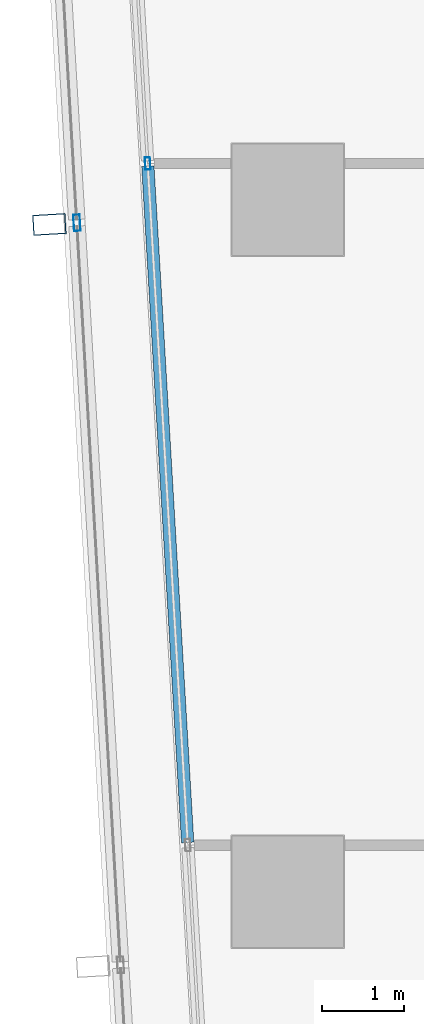
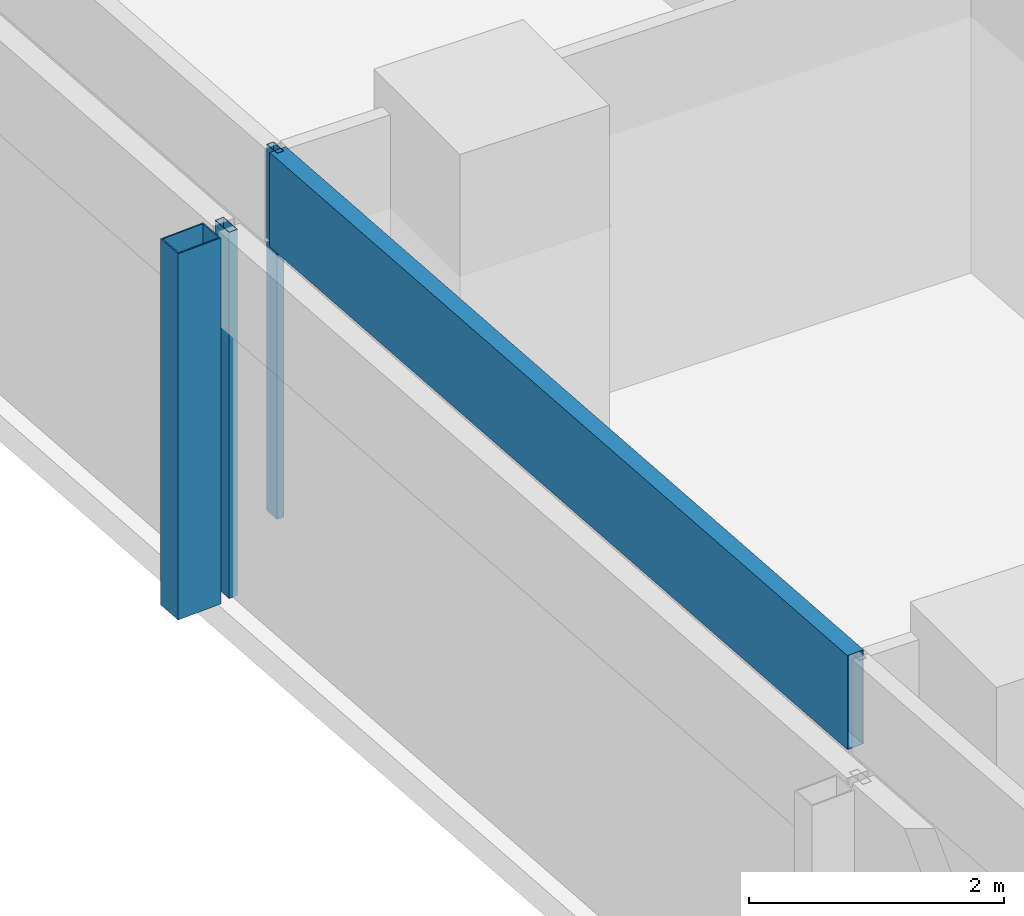
# One storey, part 8 of 39: 4 members, 2 elements without a shape of their own.
"""IFC4 building model written with IfcOpenShell, lengths in metres."""

from ifc_helpers import new_model, si_unit, direction, frame, origin, origin_2d, place, context, subcontext, project, spatial, hollow_rectangle, extrude, material, material_profile, profile_set, type_object, element, aggregate, save


model = new_model("IFC4")

# Units and contexts
model_context = context("Model", 3, precision=1e-05, world=origin(), true_north=direction((0.0, 1.0)))
body_context = subcontext(model_context, "Body", "Model", "MODEL_VIEW")
ifc_project = project(units=[si_unit("LENGTHUNIT", "METRE"), si_unit("AREAUNIT", "SQUARE_METRE"), si_unit("VOLUMEUNIT", "CUBIC_METRE"), si_unit("PLANEANGLEUNIT", "RADIAN"), si_unit("MASSUNIT", "GRAM", prefix="KILO")], contexts=[model_context])

# Site, building, storey
site_placement = place(None, origin())
site = spatial("IfcSite", under=ifc_project, at=site_placement, CompositionType="ELEMENT")
building_placement = place(site_placement, origin())
building = spatial("IfcBuilding", under=site, at=building_placement, Name="Rekha Terrace Tower", CompositionType="ELEMENT")
storey_placement = place(building_placement, frame((0.0, 0.0, 225.199951171875)))
storey = spatial("IfcBuildingStorey", under=building, at=storey_placement, Name="L57", CompositionType="ELEMENT", Elevation=225.199951171875)

# Curtain wall, member
ifc_material_1 = material(Name="Aluminium framing", Category="aluminium")
curtain_wall_type_1 = type_object("IfcCurtainWallType", Name="CW2 double skin outer glazing", PredefinedType="USERDEFINED", material=ifc_material_1)
curtain_wall_1_placement = place(storey_placement, origin())
curtain_wall_1 = element("IfcCurtainWall", 1, at=curtain_wall_1_placement, inside=storey, type_object=curtain_wall_type_1, Name="CW2 double skin outer glazing", ObjectType="DOUBLE SKIN OUTER GLAZING", PredefinedType="USERDEFINED")
ifc_material_2 = material(Name="Steel S355 with fluorocarbon finish", Category="steel")
ifc_material_profile_1 = material_profile(ifc_material_2, hollow_rectangle(XDim=0.25, YDim=0.39990234375, WallThickness=0.012451171875, at=origin_2d()), Name="RHS400x250x12.5")
ifc_profile_set_1 = profile_set([ifc_material_profile_1], Name="Steel S355 with fluorocarbon finish")
member_type_1 = type_object("IfcMemberType", Name="BL1 facade blade RHS 400 x 250", PredefinedType="USERDEFINED", material=ifc_profile_set_1)
member_1_placement = place(storey_placement, frame((5.50634765625, 33.300048828125, 0.0), z_axis=(0.0, 0.0, 1.0), x_axis=(0.058764522885, -0.998271872212, 0.0)))
member_1 = element("IfcMember", 2, at=member_1_placement, type_object=member_type_1, Name="Facade blade", ObjectType="FACADE BLADE", PredefinedType="USERDEFINED", context=body_context, shape_type="SweptSolid", body=[
    extrude(hollow_rectangle(XDim=0.25, YDim=0.39990234375, WallThickness=0.012451171875, at=origin_2d()), origin(), (0.0, 0.0, 1.0), 3.5),
])

# Curtain wall, members
curtain_wall_type_2 = type_object("IfcCurtainWallType", Name="CW1 double skin inner glazing", PredefinedType="USERDEFINED", material=ifc_material_1)
curtain_wall_2_placement = place(storey_placement, origin())
curtain_wall_2 = element("IfcCurtainWall", 3, at=curtain_wall_2_placement, inside=storey, type_object=curtain_wall_type_2, Name="CW1 double skin inner glazing", ObjectType="DOUBLE SKIN INNER GLAZING", PredefinedType="USERDEFINED")
ifc_material_3 = material(Name="Aluminium mullion section", Category="aluminium")
ifc_material_profile_2 = material_profile(ifc_material_3, hollow_rectangle(XDim=0.06494140625, YDim=0.14990234375, WallThickness=0.00390625, at=origin_2d()), Name="AL RHS 65x150")
ifc_profile_set_2 = profile_set([ifc_material_profile_2], Name="Aluminium mullion section")
member_type_2 = type_object("IfcMemberType", Name="CW1 mullion RHS 65 x 150", PredefinedType="MULLION", material=ifc_profile_set_2)
member_2_placement = place(storey_placement, frame((6.69970703125, 34.040283203125, 0.0), z_axis=(0.0, 0.0, 1.0), x_axis=(0.998271839269, 0.058765082516, 0.0)))
member_2 = element("IfcMember", 4, at=member_2_placement, type_object=member_type_2, Name="CW1 mullion 2", PredefinedType="MULLION", context=body_context, shape_type="SweptSolid", body=[
    extrude(hollow_rectangle(XDim=0.06494140625, YDim=0.14990234375, WallThickness=0.00390625, at=origin_2d()), origin(), (0.0, 0.0, 1.0), 3.5),
])
ifc_material_4 = material(Name="Insulated aluminium spandrel box", Category="aluminium")
ifc_material_profile_3 = material_profile(ifc_material_4, hollow_rectangle(XDim=0.14990234375, YDim=0.89990234375, WallThickness=0.0029296875, at=origin_2d()), Name="AL SPANDREL BOX 150x900")
ifc_profile_set_3 = profile_set([ifc_material_profile_3], Name="Insulated aluminium spandrel box")
member_type_3 = type_object("IfcMemberType", Name="CW1 spandrel transom 150 x 900", PredefinedType="USERDEFINED", material=ifc_profile_set_3)
member_3_placement = place(storey_placement, frame((6.70166015625, 34.0078125, 3.050048828125), z_axis=(0.058782934148, -0.99827078824, 0.0), x_axis=(0.99827078824, 0.058782934148, 0.0)))
member_3 = element("IfcMember", 5, at=member_3_placement, type_object=member_type_3, Name="CW1 spandrel transom 2", ObjectType="TRANSOM", PredefinedType="USERDEFINED", context=body_context, shape_type="SweptSolid", body=[
    extrude(hollow_rectangle(XDim=0.14990234375, YDim=0.89990234375, WallThickness=0.0029296875, at=origin_2d()), origin(), (0.0, 0.0, 1.0), 8.223388671875),
])
aggregate(curtain_wall_2, [member_2, member_3])

# Member
ifc_material_profile_4 = material_profile(ifc_material_3, hollow_rectangle(XDim=0.080078125, YDim=0.199951171875, WallThickness=0.00390625, at=origin_2d()), Name="AL RHS 80x200")
ifc_profile_set_4 = profile_set([ifc_material_profile_4], Name="Aluminium mullion section")
member_type_4 = type_object("IfcMemberType", Name="CW2 mullion RHS 80 x 200", PredefinedType="MULLION", material=ifc_profile_set_4)
member_4_placement = place(storey_placement, frame((5.840576171875, 33.31982421875, 0.0), z_axis=(0.0, 0.0, 1.0), x_axis=(0.99827183927, 0.058765082499, 0.0)))
member_4 = element("IfcMember", 6, at=member_4_placement, type_object=member_type_4, Name="CW2 mullion 2", PredefinedType="MULLION", context=body_context, shape_type="SweptSolid", body=[
    extrude(hollow_rectangle(XDim=0.080078125, YDim=0.199951171875, WallThickness=0.00390625, at=origin_2d()), origin(), (0.0, 0.0, 1.0), 3.5),
])

aggregate(curtain_wall_1, [member_4, member_1])

save(model, "model.ifc")
